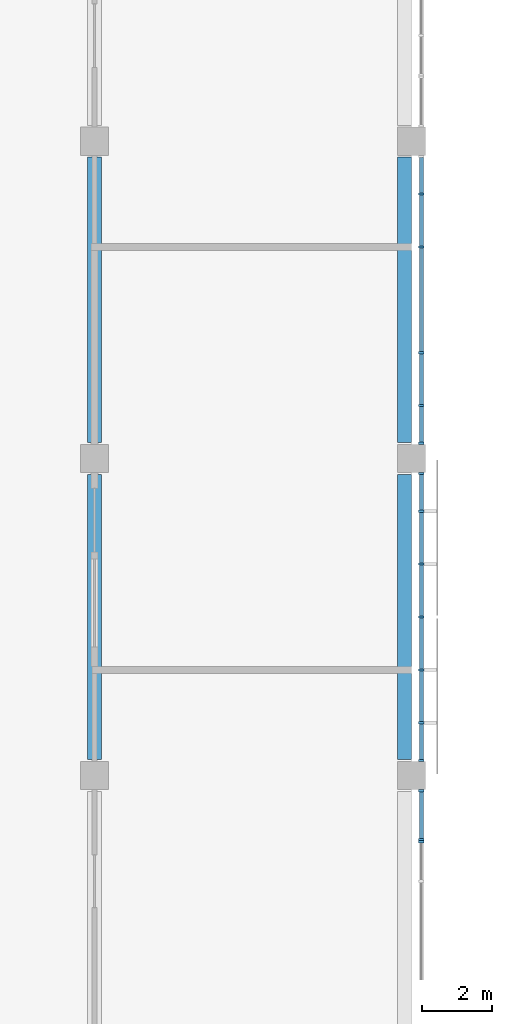
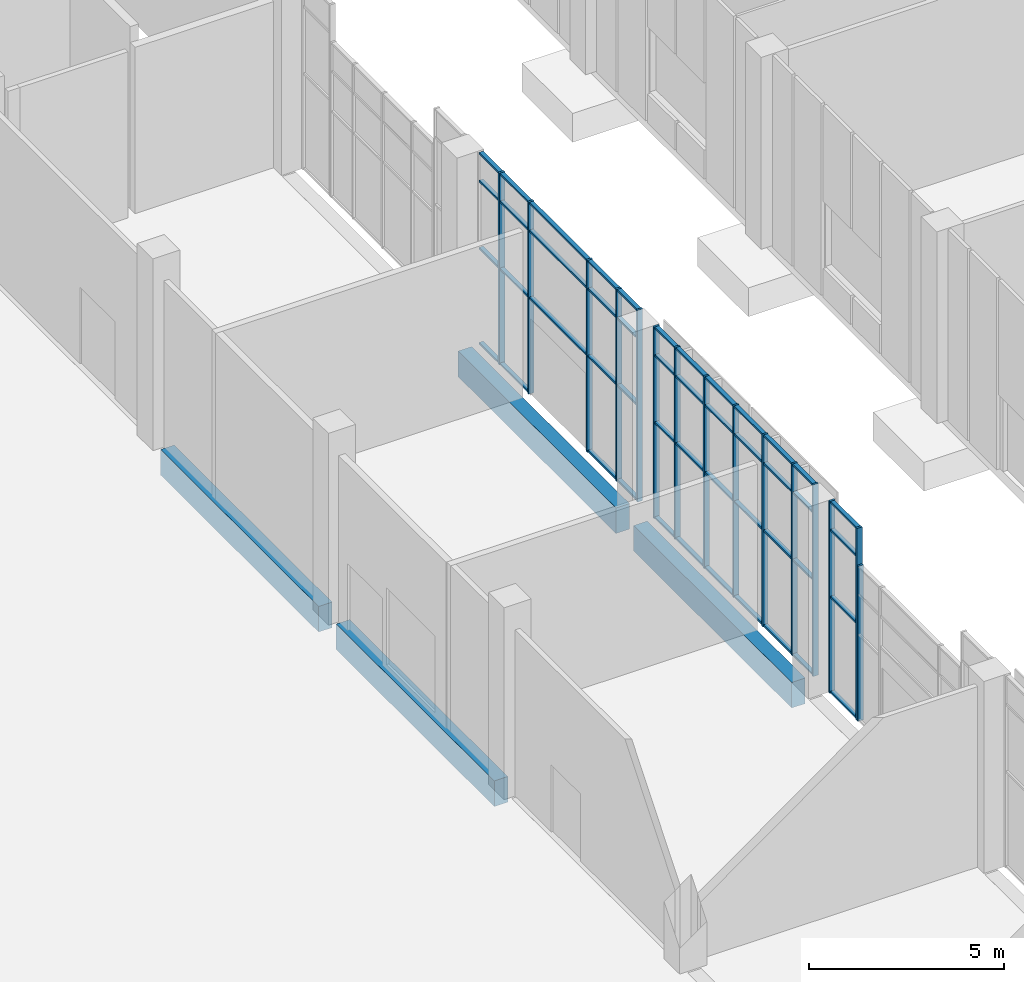
# One storey, part 21 of 86: 62 members, 4 beams, 4 elements without a shape of their own.
"""IFC4 building model written with IfcOpenShell, lengths in metres."""

from ifc_helpers import new_model, si_unit, direction, frame, origin, origin_2d, place, context, subcontext, project, spatial, rectangle, extrude, material, layer, layer_set, material_profile, profile_set, type_object, element, aggregate, save


model = new_model("IFC4")

# Units and contexts
model_context = context("Model", 3, precision=1e-05, world=origin(), true_north=direction((0.0, 1.0)))
body_context = subcontext(model_context, "Body", "Model", "MODEL_VIEW")
ifc_project = project(units=[si_unit("LENGTHUNIT", "METRE"), si_unit("AREAUNIT", "SQUARE_METRE"), si_unit("VOLUMEUNIT", "CUBIC_METRE"), si_unit("PLANEANGLEUNIT", "RADIAN"), si_unit("MASSUNIT", "GRAM", prefix="KILO")], contexts=[model_context])

# Site, building, storey
site_placement = place(None, origin())
site = spatial("IfcSite", under=ifc_project, at=site_placement, CompositionType="ELEMENT")
building_placement = place(site_placement, origin())
building = spatial("IfcBuilding", under=site, at=building_placement, Name="Guidao Yard Department Store", CompositionType="ELEMENT")
storey_placement = place(building_placement, origin())
storey = spatial("IfcBuildingStorey", under=building, at=storey_placement, Name="L00", CompositionType="ELEMENT", Elevation=0.0)

# Beams
ifc_material_1 = material(Name="Concrete C40", Category="concrete")
ifc_material_profile_1 = material_profile(ifc_material_1, rectangle(XDim=0.39990234375, YDim=0.800048828125, at=origin_2d()), Name="Edge beam 400 x 800 C40")
ifc_profile_set_1 = profile_set([ifc_material_profile_1], Name="Concrete C40")
beam_type_1 = type_object("IfcBeamType", Name="Edge beam 400 x 800 C40", PredefinedType="BEAM", material=ifc_profile_set_1)
for number, where, z_axis, x_axis, name in (
    (1, (99.0, 63.449951171875, -0.39990234375), (0.0, 1.0, 0.0), (-1.0, 0.0, 0.0), "Beam EB64"),
    (2, (99.0, 72.449951171875, -0.39990234375), (0.0, 1.0, 0.0), (-1.0, 0.0, 0.0), "Beam EB65"),
):
    element("IfcBeam", number, at=place(storey_placement, frame(where, z_axis=z_axis, x_axis=x_axis)), inside=storey, type_object=beam_type_1, Name=name, PredefinedType="BEAM", context=body_context, shape_type="SweptSolid", body=[
        extrude(rectangle(XDim=0.39990234375, YDim=0.800048828125, at=origin_2d()), origin(), (0.0, 0.0, 1.0), 8.10009765625),
    ])

# Curtain wall, member
ifc_material_2 = material(Name="Aluminium and glass", Category="aluminium")
ifc_layer = layer(ifc_material_2, 0.159912109375)
ifc_layer_set = layer_set([ifc_layer], Name="Shopfront curtain wall CW1 1500 module")
curtain_wall_type = type_object("IfcCurtainWallType", Name="Shopfront curtain wall CW1 1500 module", PredefinedType="NOTDEFINED", material=ifc_layer_set)
curtain_wall_1_placement = place(storey_placement, origin())
curtain_wall_1 = element("IfcCurtainWall", 3, at=curtain_wall_1_placement, inside=storey, type_object=curtain_wall_type, Name="Arcade shop front", PredefinedType="NOTDEFINED")
ifc_material_3 = material(Name="Aluminium 6063-T5", Category="aluminium")
ifc_material_profile_2 = material_profile(ifc_material_3, rectangle(XDim=0.06005859375, YDim=0.159912109375, at=origin_2d()), Name="Mullion M1 60 x 160 aluminium pressure plate")
ifc_profile_set_2 = profile_set([ifc_material_profile_2], Name="Aluminium 6063-T5")
member_type_1 = type_object("IfcMemberType", Name="Mullion M1 60 x 160 aluminium pressure plate", PredefinedType="MULLION", material=ifc_profile_set_2)
member_1_placement = place(storey_placement, frame((108.280029296875, 61.1201171875, 0.0), z_axis=(0.0, 0.0, 1.0), x_axis=(0.0, -1.0, 0.0)))
member_1 = element("IfcMember", 4, at=member_1_placement, type_object=member_type_1, Name="CW-AS-L00-13 mullion 4", PredefinedType="MULLION", context=body_context, shape_type="SweptSolid", body=[
    extrude(rectangle(XDim=0.06005859375, YDim=0.159912109375, at=origin_2d()), origin(), (0.0, 0.0, 1.0), 4.85009765625),
])
aggregate(curtain_wall_1, [member_1])

# Curtain wall, members
curtain_wall_2_placement = place(storey_placement, origin())
curtain_wall_2 = element("IfcCurtainWall", 5, at=curtain_wall_2_placement, inside=storey, type_object=curtain_wall_type, Name="Arcade shop front", PredefinedType="NOTDEFINED")
member_2_placement = place(storey_placement, frame((108.280029296875, 61.179931640625, 0.0), z_axis=(0.0, 0.0, 1.0), x_axis=(0.0, -1.0, 0.0)))
member_2 = element("IfcMember", 6, at=member_2_placement, type_object=member_type_1, Name="CW-AS-L00-14 mullion 1", PredefinedType="MULLION", context=body_context, shape_type="SweptSolid", body=[
    extrude(rectangle(XDim=0.06005859375, YDim=0.159912109375, at=origin_2d()), origin(), (0.0, 0.0, 1.0), 6.0),
])
member_3_placement = place(storey_placement, frame((108.280029296875, 62.570068359375, 0.0), z_axis=(0.0, 0.0, 1.0), x_axis=(0.0, -1.0, 0.0)))
member_3 = element("IfcMember", 7, at=member_3_placement, type_object=member_type_1, Name="CW-AS-L00-14 mullion 2", PredefinedType="MULLION", context=body_context, shape_type="SweptSolid", body=[
    extrude(rectangle(XDim=0.06005859375, YDim=0.159912109375, at=origin_2d()), origin(), (0.0, 0.0, 1.0), 6.0),
])

curtain_wall_3_placement = place(storey_placement, origin())
curtain_wall_3 = element("IfcCurtainWall", 8, at=curtain_wall_3_placement, inside=storey, type_object=curtain_wall_type, Name="Arcade shop front", PredefinedType="NOTDEFINED")
member_4_placement = place(storey_placement, frame((108.280029296875, 63.429931640625, 0.0), z_axis=(0.0, 0.0, 1.0), x_axis=(0.0, -1.0, 0.0)))
member_4 = element("IfcMember", 9, at=member_4_placement, type_object=member_type_1, Name="CW-AS-L00-15 mullion 1", PredefinedType="MULLION", context=body_context, shape_type="SweptSolid", body=[
    extrude(rectangle(XDim=0.06005859375, YDim=0.159912109375, at=origin_2d()), origin(), (0.0, 0.0, 1.0), 6.0),
])
member_5_placement = place(storey_placement, frame((108.280029296875, 64.5, 0.0), z_axis=(0.0, 0.0, 1.0), x_axis=(0.0, -1.0, 0.0)))
member_5 = element("IfcMember", 10, at=member_5_placement, type_object=member_type_1, Name="CW-AS-L00-15 mullion 2", PredefinedType="MULLION", context=body_context, shape_type="SweptSolid", body=[
    extrude(rectangle(XDim=0.06005859375, YDim=0.159912109375, at=origin_2d()), origin(), (0.0, 0.0, 1.0), 6.0),
])
member_6_placement = place(storey_placement, frame((108.280029296875, 66.0, 0.0), z_axis=(0.0, 0.0, 1.0), x_axis=(0.0, -1.0, 0.0)))
member_6 = element("IfcMember", 11, at=member_6_placement, type_object=member_type_1, Name="CW-AS-L00-15 mullion 3", PredefinedType="MULLION", context=body_context, shape_type="SweptSolid", body=[
    extrude(rectangle(XDim=0.06005859375, YDim=0.159912109375, at=origin_2d()), origin(), (0.0, 0.0, 1.0), 6.0),
])
member_7_placement = place(storey_placement, frame((108.280029296875, 67.5, 0.0), z_axis=(0.0, 0.0, 1.0), x_axis=(0.0, -1.0, 0.0)))
member_7 = element("IfcMember", 12, at=member_7_placement, type_object=member_type_1, Name="CW-AS-L00-15 mullion 4", PredefinedType="MULLION", context=body_context, shape_type="SweptSolid", body=[
    extrude(rectangle(XDim=0.06005859375, YDim=0.159912109375, at=origin_2d()), origin(), (0.0, 0.0, 1.0), 6.0),
])
member_8_placement = place(storey_placement, frame((108.280029296875, 69.0, 0.0), z_axis=(0.0, 0.0, 1.0), x_axis=(0.0, -1.0, 0.0)))
member_8 = element("IfcMember", 13, at=member_8_placement, type_object=member_type_1, Name="CW-AS-L00-15 mullion 5", PredefinedType="MULLION", context=body_context, shape_type="SweptSolid", body=[
    extrude(rectangle(XDim=0.06005859375, YDim=0.159912109375, at=origin_2d()), origin(), (0.0, 0.0, 1.0), 6.0),
])
member_9_placement = place(storey_placement, frame((108.280029296875, 70.5, 0.0), z_axis=(0.0, 0.0, 1.0), x_axis=(0.0, -1.0, 0.0)))
member_9 = element("IfcMember", 14, at=member_9_placement, type_object=member_type_1, Name="CW-AS-L00-15 mullion 6", PredefinedType="MULLION", context=body_context, shape_type="SweptSolid", body=[
    extrude(rectangle(XDim=0.06005859375, YDim=0.159912109375, at=origin_2d()), origin(), (0.0, 0.0, 1.0), 6.0),
])
member_10_placement = place(storey_placement, frame((108.280029296875, 71.570068359375, 0.0), z_axis=(0.0, 0.0, 1.0), x_axis=(0.0, -1.0, 0.0)))
member_10 = element("IfcMember", 15, at=member_10_placement, type_object=member_type_1, Name="CW-AS-L00-15 mullion 7", PredefinedType="MULLION", context=body_context, shape_type="SweptSolid", body=[
    extrude(rectangle(XDim=0.06005859375, YDim=0.159912109375, at=origin_2d()), origin(), (0.0, 0.0, 1.0), 6.0),
])

curtain_wall_4_placement = place(storey_placement, origin())
curtain_wall_4 = element("IfcCurtainWall", 16, at=curtain_wall_4_placement, inside=storey, type_object=curtain_wall_type, Name="Arcade shop front", PredefinedType="NOTDEFINED")
member_11_placement = place(storey_placement, frame((108.280029296875, 72.429931640625, 0.0), z_axis=(0.0, 0.0, 1.0), x_axis=(0.0, -1.0, 0.0)))
member_11 = element("IfcMember", 17, at=member_11_placement, type_object=member_type_1, Name="CW-AS-L00-16 mullion 1", PredefinedType="MULLION", context=body_context, shape_type="SweptSolid", body=[
    extrude(rectangle(XDim=0.06005859375, YDim=0.159912109375, at=origin_2d()), origin(), (0.0, 0.0, 1.0), 6.0),
])
member_12_placement = place(storey_placement, frame((108.280029296875, 73.5, 0.0), z_axis=(0.0, 0.0, 1.0), x_axis=(0.0, -1.0, 0.0)))
member_12 = element("IfcMember", 18, at=member_12_placement, type_object=member_type_1, Name="CW-AS-L00-16 mullion 2", PredefinedType="MULLION", context=body_context, shape_type="SweptSolid", body=[
    extrude(rectangle(XDim=0.06005859375, YDim=0.159912109375, at=origin_2d()), origin(), (0.0, 0.0, 1.0), 6.0),
])
member_13_placement = place(storey_placement, frame((108.280029296875, 75.0, 0.0), z_axis=(0.0, 0.0, 1.0), x_axis=(0.0, -1.0, 0.0)))
member_13 = element("IfcMember", 19, at=member_13_placement, type_object=member_type_1, Name="CW-AS-L00-16 mullion 3", PredefinedType="MULLION", context=body_context, shape_type="SweptSolid", body=[
    extrude(rectangle(XDim=0.06005859375, YDim=0.159912109375, at=origin_2d()), origin(), (0.0, 0.0, 1.0), 6.0),
])
member_14_placement = place(storey_placement, frame((108.280029296875, 78.0, 0.0), z_axis=(0.0, 0.0, 1.0), x_axis=(0.0, -1.0, 0.0)))
member_14 = element("IfcMember", 20, at=member_14_placement, type_object=member_type_1, Name="CW-AS-L00-16 mullion 4", PredefinedType="MULLION", context=body_context, shape_type="SweptSolid", body=[
    extrude(rectangle(XDim=0.06005859375, YDim=0.159912109375, at=origin_2d()), origin(), (0.0, 0.0, 1.0), 6.0),
])
member_15_placement = place(storey_placement, frame((108.280029296875, 79.5, 0.0), z_axis=(0.0, 0.0, 1.0), x_axis=(0.0, -1.0, 0.0)))
member_15 = element("IfcMember", 21, at=member_15_placement, type_object=member_type_1, Name="CW-AS-L00-16 mullion 5", PredefinedType="MULLION", context=body_context, shape_type="SweptSolid", body=[
    extrude(rectangle(XDim=0.06005859375, YDim=0.159912109375, at=origin_2d()), origin(), (0.0, 0.0, 1.0), 6.0),
])

# Beams
ifc_material_4 = material(Name="Concrete C40", Category="concrete")
ifc_material_profile_3 = material_profile(ifc_material_4, rectangle(XDim=0.39990234375, YDim=0.800048828125, at=origin_2d()), Name="Spandrel beam 400 x 800 C40")
ifc_profile_set_3 = profile_set([ifc_material_profile_3], Name="Concrete C40")
beam_type_2 = type_object("IfcBeamType", Name="Spandrel beam 400 x 800 C40", PredefinedType="SPANDREL", material=ifc_profile_set_3)
for number, where, z_axis, x_axis, name in (
    (22, (107.800048828125, 63.449951171875, -0.39990234375), (0.0, 1.0, 0.0), (-1.0, 0.0, 0.0), "Beam EB48"),
    (23, (107.800048828125, 72.449951171875, -0.39990234375), (0.0, 1.0, 0.0), (-1.0, 0.0, 0.0), "Beam EB49"),
):
    element("IfcBeam", number, at=place(storey_placement, frame(where, z_axis=z_axis, x_axis=x_axis)), inside=storey, type_object=beam_type_2, Name=name, PredefinedType="SPANDREL", context=body_context, shape_type="SweptSolid", body=[
        extrude(rectangle(XDim=0.39990234375, YDim=0.800048828125, at=origin_2d()), origin(), (0.0, 0.0, 1.0), 8.10009765625),
    ])

# Member
ifc_material_5 = material(Name="Aluminium 6063-T5", Category="aluminium")
ifc_material_profile_4 = material_profile(ifc_material_5, rectangle(XDim=0.1201171875, YDim=0.06005859375, at=origin_2d()), Name="Transom T1 60 x 120 aluminium pressure plate")
ifc_profile_set_4 = profile_set([ifc_material_profile_4], Name="Aluminium 6063-T5")
member_type_2 = type_object("IfcMemberType", Name="Transom T1 60 x 120 aluminium pressure plate", PredefinedType="USERDEFINED", material=ifc_profile_set_4)
member_16_placement = place(storey_placement, frame((108.280029296875, 62.5400390625, 0.030029296875), z_axis=(0.0, -1.0, 0.0), x_axis=(1.0, 0.0, 0.0)))
member_16 = element("IfcMember", 24, at=member_16_placement, type_object=member_type_2, Name="CW-AS-L00-14 transom 1.1", ObjectType="TRANSOM", PredefinedType="USERDEFINED", context=body_context, shape_type="SweptSolid", body=[
    extrude(rectangle(XDim=0.1201171875, YDim=0.06005859375, at=origin_2d()), origin(), (0.0, 0.0, 1.0), 1.330078125),
])

member_17_placement = place(storey_placement, frame((108.280029296875, 62.5400390625, 3.0), z_axis=(0.0, -1.0, 0.0), x_axis=(1.0, 0.0, 0.0)))
member_17 = element("IfcMember", 25, at=member_17_placement, type_object=member_type_2, Name="CW-AS-L00-14 transom 1.2", ObjectType="TRANSOM", PredefinedType="USERDEFINED", context=body_context, shape_type="SweptSolid", body=[
    extrude(rectangle(XDim=0.1201171875, YDim=0.06005859375, at=origin_2d()), origin(), (0.0, 0.0, 1.0), 1.330078125),
])

member_18_placement = place(storey_placement, frame((108.280029296875, 62.5400390625, 5.10009765625), z_axis=(0.0, -1.0, 0.0), x_axis=(1.0, 0.0, 0.0)))
member_18 = element("IfcMember", 26, at=member_18_placement, type_object=member_type_2, Name="CW-AS-L00-14 transom 1.3", ObjectType="TRANSOM", PredefinedType="USERDEFINED", context=body_context, shape_type="SweptSolid", body=[
    extrude(rectangle(XDim=0.1201171875, YDim=0.06005859375, at=origin_2d()), origin(), (0.0, 0.0, 1.0), 1.330078125),
])

member_19_placement = place(storey_placement, frame((108.280029296875, 62.5400390625, 5.969970703125), z_axis=(0.0, -1.0, 0.0), x_axis=(1.0, 0.0, 0.0)))
member_19 = element("IfcMember", 27, at=member_19_placement, type_object=member_type_2, Name="CW-AS-L00-14 transom 1.4", ObjectType="TRANSOM", PredefinedType="USERDEFINED", context=body_context, shape_type="SweptSolid", body=[
    extrude(rectangle(XDim=0.1201171875, YDim=0.06005859375, at=origin_2d()), origin(), (0.0, 0.0, 1.0), 1.330078125),
])

aggregate(curtain_wall_2, [member_2, member_3, member_16, member_17, member_18, member_19])

member_20_placement = place(storey_placement, frame((108.280029296875, 64.469970703125, 0.030029296875), z_axis=(0.0, -1.0, 0.0), x_axis=(1.0, 0.0, 0.0)))
member_20 = element("IfcMember", 28, at=member_20_placement, type_object=member_type_2, Name="CW-AS-L00-15 transom 1.1", ObjectType="TRANSOM", PredefinedType="USERDEFINED", context=body_context, shape_type="SweptSolid", body=[
    extrude(rectangle(XDim=0.1201171875, YDim=0.06005859375, at=origin_2d()), origin(), (0.0, 0.0, 1.0), 1.010009765625),
])

member_21_placement = place(storey_placement, frame((108.280029296875, 64.469970703125, 3.0), z_axis=(0.0, -1.0, 0.0), x_axis=(1.0, 0.0, 0.0)))
member_21 = element("IfcMember", 29, at=member_21_placement, type_object=member_type_2, Name="CW-AS-L00-15 transom 1.2", ObjectType="TRANSOM", PredefinedType="USERDEFINED", context=body_context, shape_type="SweptSolid", body=[
    extrude(rectangle(XDim=0.1201171875, YDim=0.06005859375, at=origin_2d()), origin(), (0.0, 0.0, 1.0), 1.010009765625),
])

member_22_placement = place(storey_placement, frame((108.280029296875, 64.469970703125, 5.10009765625), z_axis=(0.0, -1.0, 0.0), x_axis=(1.0, 0.0, 0.0)))
member_22 = element("IfcMember", 30, at=member_22_placement, type_object=member_type_2, Name="CW-AS-L00-15 transom 1.3", ObjectType="TRANSOM", PredefinedType="USERDEFINED", context=body_context, shape_type="SweptSolid", body=[
    extrude(rectangle(XDim=0.1201171875, YDim=0.06005859375, at=origin_2d()), origin(), (0.0, 0.0, 1.0), 1.010009765625),
])

member_23_placement = place(storey_placement, frame((108.280029296875, 64.469970703125, 5.969970703125), z_axis=(0.0, -1.0, 0.0), x_axis=(1.0, 0.0, 0.0)))
member_23 = element("IfcMember", 31, at=member_23_placement, type_object=member_type_2, Name="CW-AS-L00-15 transom 1.4", ObjectType="TRANSOM", PredefinedType="USERDEFINED", context=body_context, shape_type="SweptSolid", body=[
    extrude(rectangle(XDim=0.1201171875, YDim=0.06005859375, at=origin_2d()), origin(), (0.0, 0.0, 1.0), 1.010009765625),
])

member_24_placement = place(storey_placement, frame((108.280029296875, 65.969970703125, 0.030029296875), z_axis=(0.0, -1.0, 0.0), x_axis=(1.0, 0.0, 0.0)))
member_24 = element("IfcMember", 32, at=member_24_placement, type_object=member_type_2, Name="CW-AS-L00-15 transom 2.1", ObjectType="TRANSOM", PredefinedType="USERDEFINED", context=body_context, shape_type="SweptSolid", body=[
    extrude(rectangle(XDim=0.1201171875, YDim=0.06005859375, at=origin_2d()), origin(), (0.0, 0.0, 1.0), 1.43994140625),
])

member_25_placement = place(storey_placement, frame((108.280029296875, 65.969970703125, 3.0), z_axis=(0.0, -1.0, 0.0), x_axis=(1.0, 0.0, 0.0)))
member_25 = element("IfcMember", 33, at=member_25_placement, type_object=member_type_2, Name="CW-AS-L00-15 transom 2.2", ObjectType="TRANSOM", PredefinedType="USERDEFINED", context=body_context, shape_type="SweptSolid", body=[
    extrude(rectangle(XDim=0.1201171875, YDim=0.06005859375, at=origin_2d()), origin(), (0.0, 0.0, 1.0), 1.43994140625),
])

member_26_placement = place(storey_placement, frame((108.280029296875, 65.969970703125, 5.10009765625), z_axis=(0.0, -1.0, 0.0), x_axis=(1.0, 0.0, 0.0)))
member_26 = element("IfcMember", 34, at=member_26_placement, type_object=member_type_2, Name="CW-AS-L00-15 transom 2.3", ObjectType="TRANSOM", PredefinedType="USERDEFINED", context=body_context, shape_type="SweptSolid", body=[
    extrude(rectangle(XDim=0.1201171875, YDim=0.06005859375, at=origin_2d()), origin(), (0.0, 0.0, 1.0), 1.43994140625),
])

member_27_placement = place(storey_placement, frame((108.280029296875, 65.969970703125, 5.969970703125), z_axis=(0.0, -1.0, 0.0), x_axis=(1.0, 0.0, 0.0)))
member_27 = element("IfcMember", 35, at=member_27_placement, type_object=member_type_2, Name="CW-AS-L00-15 transom 2.4", ObjectType="TRANSOM", PredefinedType="USERDEFINED", context=body_context, shape_type="SweptSolid", body=[
    extrude(rectangle(XDim=0.1201171875, YDim=0.06005859375, at=origin_2d()), origin(), (0.0, 0.0, 1.0), 1.43994140625),
])

member_28_placement = place(storey_placement, frame((108.280029296875, 67.469970703125, 0.030029296875), z_axis=(0.0, -1.0, 0.0), x_axis=(1.0, 0.0, 0.0)))
member_28 = element("IfcMember", 36, at=member_28_placement, type_object=member_type_2, Name="CW-AS-L00-15 transom 3.1", ObjectType="TRANSOM", PredefinedType="USERDEFINED", context=body_context, shape_type="SweptSolid", body=[
    extrude(rectangle(XDim=0.1201171875, YDim=0.06005859375, at=origin_2d()), origin(), (0.0, 0.0, 1.0), 1.43994140625),
])

member_29_placement = place(storey_placement, frame((108.280029296875, 67.469970703125, 3.0), z_axis=(0.0, -1.0, 0.0), x_axis=(1.0, 0.0, 0.0)))
member_29 = element("IfcMember", 37, at=member_29_placement, type_object=member_type_2, Name="CW-AS-L00-15 transom 3.2", ObjectType="TRANSOM", PredefinedType="USERDEFINED", context=body_context, shape_type="SweptSolid", body=[
    extrude(rectangle(XDim=0.1201171875, YDim=0.06005859375, at=origin_2d()), origin(), (0.0, 0.0, 1.0), 1.43994140625),
])

member_30_placement = place(storey_placement, frame((108.280029296875, 67.469970703125, 5.10009765625), z_axis=(0.0, -1.0, 0.0), x_axis=(1.0, 0.0, 0.0)))
member_30 = element("IfcMember", 38, at=member_30_placement, type_object=member_type_2, Name="CW-AS-L00-15 transom 3.3", ObjectType="TRANSOM", PredefinedType="USERDEFINED", context=body_context, shape_type="SweptSolid", body=[
    extrude(rectangle(XDim=0.1201171875, YDim=0.06005859375, at=origin_2d()), origin(), (0.0, 0.0, 1.0), 1.43994140625),
])

member_31_placement = place(storey_placement, frame((108.280029296875, 67.469970703125, 5.969970703125), z_axis=(0.0, -1.0, 0.0), x_axis=(1.0, 0.0, 0.0)))
member_31 = element("IfcMember", 39, at=member_31_placement, type_object=member_type_2, Name="CW-AS-L00-15 transom 3.4", ObjectType="TRANSOM", PredefinedType="USERDEFINED", context=body_context, shape_type="SweptSolid", body=[
    extrude(rectangle(XDim=0.1201171875, YDim=0.06005859375, at=origin_2d()), origin(), (0.0, 0.0, 1.0), 1.43994140625),
])

member_32_placement = place(storey_placement, frame((108.280029296875, 68.969970703125, 0.030029296875), z_axis=(0.0, -1.0, 0.0), x_axis=(1.0, 0.0, 0.0)))
member_32 = element("IfcMember", 40, at=member_32_placement, type_object=member_type_2, Name="CW-AS-L00-15 transom 4.1", ObjectType="TRANSOM", PredefinedType="USERDEFINED", context=body_context, shape_type="SweptSolid", body=[
    extrude(rectangle(XDim=0.1201171875, YDim=0.06005859375, at=origin_2d()), origin(), (0.0, 0.0, 1.0), 1.43994140625),
])

member_33_placement = place(storey_placement, frame((108.280029296875, 68.969970703125, 3.0), z_axis=(0.0, -1.0, 0.0), x_axis=(1.0, 0.0, 0.0)))
member_33 = element("IfcMember", 41, at=member_33_placement, type_object=member_type_2, Name="CW-AS-L00-15 transom 4.2", ObjectType="TRANSOM", PredefinedType="USERDEFINED", context=body_context, shape_type="SweptSolid", body=[
    extrude(rectangle(XDim=0.1201171875, YDim=0.06005859375, at=origin_2d()), origin(), (0.0, 0.0, 1.0), 1.43994140625),
])

member_34_placement = place(storey_placement, frame((108.280029296875, 68.969970703125, 5.10009765625), z_axis=(0.0, -1.0, 0.0), x_axis=(1.0, 0.0, 0.0)))
member_34 = element("IfcMember", 42, at=member_34_placement, type_object=member_type_2, Name="CW-AS-L00-15 transom 4.3", ObjectType="TRANSOM", PredefinedType="USERDEFINED", context=body_context, shape_type="SweptSolid", body=[
    extrude(rectangle(XDim=0.1201171875, YDim=0.06005859375, at=origin_2d()), origin(), (0.0, 0.0, 1.0), 1.43994140625),
])

member_35_placement = place(storey_placement, frame((108.280029296875, 68.969970703125, 5.969970703125), z_axis=(0.0, -1.0, 0.0), x_axis=(1.0, 0.0, 0.0)))
member_35 = element("IfcMember", 43, at=member_35_placement, type_object=member_type_2, Name="CW-AS-L00-15 transom 4.4", ObjectType="TRANSOM", PredefinedType="USERDEFINED", context=body_context, shape_type="SweptSolid", body=[
    extrude(rectangle(XDim=0.1201171875, YDim=0.06005859375, at=origin_2d()), origin(), (0.0, 0.0, 1.0), 1.43994140625),
])

member_36_placement = place(storey_placement, frame((108.280029296875, 70.469970703125, 0.030029296875), z_axis=(0.0, -1.0, 0.0), x_axis=(1.0, 0.0, 0.0)))
member_36 = element("IfcMember", 44, at=member_36_placement, type_object=member_type_2, Name="CW-AS-L00-15 transom 5.1", ObjectType="TRANSOM", PredefinedType="USERDEFINED", context=body_context, shape_type="SweptSolid", body=[
    extrude(rectangle(XDim=0.1201171875, YDim=0.06005859375, at=origin_2d()), origin(), (0.0, 0.0, 1.0), 1.43994140625),
])

member_37_placement = place(storey_placement, frame((108.280029296875, 70.469970703125, 3.0), z_axis=(0.0, -1.0, 0.0), x_axis=(1.0, 0.0, 0.0)))
member_37 = element("IfcMember", 45, at=member_37_placement, type_object=member_type_2, Name="CW-AS-L00-15 transom 5.2", ObjectType="TRANSOM", PredefinedType="USERDEFINED", context=body_context, shape_type="SweptSolid", body=[
    extrude(rectangle(XDim=0.1201171875, YDim=0.06005859375, at=origin_2d()), origin(), (0.0, 0.0, 1.0), 1.43994140625),
])

member_38_placement = place(storey_placement, frame((108.280029296875, 70.469970703125, 5.10009765625), z_axis=(0.0, -1.0, 0.0), x_axis=(1.0, 0.0, 0.0)))
member_38 = element("IfcMember", 46, at=member_38_placement, type_object=member_type_2, Name="CW-AS-L00-15 transom 5.3", ObjectType="TRANSOM", PredefinedType="USERDEFINED", context=body_context, shape_type="SweptSolid", body=[
    extrude(rectangle(XDim=0.1201171875, YDim=0.06005859375, at=origin_2d()), origin(), (0.0, 0.0, 1.0), 1.43994140625),
])

member_39_placement = place(storey_placement, frame((108.280029296875, 70.469970703125, 5.969970703125), z_axis=(0.0, -1.0, 0.0), x_axis=(1.0, 0.0, 0.0)))
member_39 = element("IfcMember", 47, at=member_39_placement, type_object=member_type_2, Name="CW-AS-L00-15 transom 5.4", ObjectType="TRANSOM", PredefinedType="USERDEFINED", context=body_context, shape_type="SweptSolid", body=[
    extrude(rectangle(XDim=0.1201171875, YDim=0.06005859375, at=origin_2d()), origin(), (0.0, 0.0, 1.0), 1.43994140625),
])

member_40_placement = place(storey_placement, frame((108.280029296875, 71.5400390625, 0.030029296875), z_axis=(0.0, -1.0, 0.0), x_axis=(1.0, 0.0, 0.0)))
member_40 = element("IfcMember", 48, at=member_40_placement, type_object=member_type_2, Name="CW-AS-L00-15 transom 6.1", ObjectType="TRANSOM", PredefinedType="USERDEFINED", context=body_context, shape_type="SweptSolid", body=[
    extrude(rectangle(XDim=0.1201171875, YDim=0.06005859375, at=origin_2d()), origin(), (0.0, 0.0, 1.0), 1.010009765625),
])

member_41_placement = place(storey_placement, frame((108.280029296875, 71.5400390625, 3.0), z_axis=(0.0, -1.0, 0.0), x_axis=(1.0, 0.0, 0.0)))
member_41 = element("IfcMember", 49, at=member_41_placement, type_object=member_type_2, Name="CW-AS-L00-15 transom 6.2", ObjectType="TRANSOM", PredefinedType="USERDEFINED", context=body_context, shape_type="SweptSolid", body=[
    extrude(rectangle(XDim=0.1201171875, YDim=0.06005859375, at=origin_2d()), origin(), (0.0, 0.0, 1.0), 1.010009765625),
])

member_42_placement = place(storey_placement, frame((108.280029296875, 71.5400390625, 5.10009765625), z_axis=(0.0, -1.0, 0.0), x_axis=(1.0, 0.0, 0.0)))
member_42 = element("IfcMember", 50, at=member_42_placement, type_object=member_type_2, Name="CW-AS-L00-15 transom 6.3", ObjectType="TRANSOM", PredefinedType="USERDEFINED", context=body_context, shape_type="SweptSolid", body=[
    extrude(rectangle(XDim=0.1201171875, YDim=0.06005859375, at=origin_2d()), origin(), (0.0, 0.0, 1.0), 1.010009765625),
])

member_43_placement = place(storey_placement, frame((108.280029296875, 71.5400390625, 5.969970703125), z_axis=(0.0, -1.0, 0.0), x_axis=(1.0, 0.0, 0.0)))
member_43 = element("IfcMember", 51, at=member_43_placement, type_object=member_type_2, Name="CW-AS-L00-15 transom 6.4", ObjectType="TRANSOM", PredefinedType="USERDEFINED", context=body_context, shape_type="SweptSolid", body=[
    extrude(rectangle(XDim=0.1201171875, YDim=0.06005859375, at=origin_2d()), origin(), (0.0, 0.0, 1.0), 1.010009765625),
])

aggregate(curtain_wall_3, [member_4, member_5, member_6, member_7, member_8, member_9, member_10, member_20, member_21, member_22, member_23, member_24, member_25, member_26, member_27, member_28, member_29, member_30, member_31, member_32, member_33, member_34, member_35, member_36, member_37, member_38, member_39, member_40, member_41, member_42, member_43])

member_44_placement = place(storey_placement, frame((108.280029296875, 73.469970703125, 0.030029296875), z_axis=(0.0, -1.0, 0.0), x_axis=(1.0, 0.0, 0.0)))
member_44 = element("IfcMember", 52, at=member_44_placement, type_object=member_type_2, Name="CW-AS-L00-16 transom 1.1", ObjectType="TRANSOM", PredefinedType="USERDEFINED", context=body_context, shape_type="SweptSolid", body=[
    extrude(rectangle(XDim=0.1201171875, YDim=0.06005859375, at=origin_2d()), origin(), (0.0, 0.0, 1.0), 1.010009765625),
])

member_45_placement = place(storey_placement, frame((108.280029296875, 73.469970703125, 3.0), z_axis=(0.0, -1.0, 0.0), x_axis=(1.0, 0.0, 0.0)))
member_45 = element("IfcMember", 53, at=member_45_placement, type_object=member_type_2, Name="CW-AS-L00-16 transom 1.2", ObjectType="TRANSOM", PredefinedType="USERDEFINED", context=body_context, shape_type="SweptSolid", body=[
    extrude(rectangle(XDim=0.1201171875, YDim=0.06005859375, at=origin_2d()), origin(), (0.0, 0.0, 1.0), 1.010009765625),
])

member_46_placement = place(storey_placement, frame((108.280029296875, 73.469970703125, 5.10009765625), z_axis=(0.0, -1.0, 0.0), x_axis=(1.0, 0.0, 0.0)))
member_46 = element("IfcMember", 54, at=member_46_placement, type_object=member_type_2, Name="CW-AS-L00-16 transom 1.3", ObjectType="TRANSOM", PredefinedType="USERDEFINED", context=body_context, shape_type="SweptSolid", body=[
    extrude(rectangle(XDim=0.1201171875, YDim=0.06005859375, at=origin_2d()), origin(), (0.0, 0.0, 1.0), 1.010009765625),
])

member_47_placement = place(storey_placement, frame((108.280029296875, 73.469970703125, 5.969970703125), z_axis=(0.0, -1.0, 0.0), x_axis=(1.0, 0.0, 0.0)))
member_47 = element("IfcMember", 55, at=member_47_placement, type_object=member_type_2, Name="CW-AS-L00-16 transom 1.4", ObjectType="TRANSOM", PredefinedType="USERDEFINED", context=body_context, shape_type="SweptSolid", body=[
    extrude(rectangle(XDim=0.1201171875, YDim=0.06005859375, at=origin_2d()), origin(), (0.0, 0.0, 1.0), 1.010009765625),
])

member_48_placement = place(storey_placement, frame((108.280029296875, 74.969970703125, 0.030029296875), z_axis=(0.0, -1.0, 0.0), x_axis=(1.0, 0.0, 0.0)))
member_48 = element("IfcMember", 56, at=member_48_placement, type_object=member_type_2, Name="CW-AS-L00-16 transom 2.1", ObjectType="TRANSOM", PredefinedType="USERDEFINED", context=body_context, shape_type="SweptSolid", body=[
    extrude(rectangle(XDim=0.1201171875, YDim=0.06005859375, at=origin_2d()), origin(), (0.0, 0.0, 1.0), 1.43994140625),
])

member_49_placement = place(storey_placement, frame((108.280029296875, 74.969970703125, 3.0), z_axis=(0.0, -1.0, 0.0), x_axis=(1.0, 0.0, 0.0)))
member_49 = element("IfcMember", 57, at=member_49_placement, type_object=member_type_2, Name="CW-AS-L00-16 transom 2.2", ObjectType="TRANSOM", PredefinedType="USERDEFINED", context=body_context, shape_type="SweptSolid", body=[
    extrude(rectangle(XDim=0.1201171875, YDim=0.06005859375, at=origin_2d()), origin(), (0.0, 0.0, 1.0), 1.43994140625),
])

member_50_placement = place(storey_placement, frame((108.280029296875, 74.969970703125, 5.10009765625), z_axis=(0.0, -1.0, 0.0), x_axis=(1.0, 0.0, 0.0)))
member_50 = element("IfcMember", 58, at=member_50_placement, type_object=member_type_2, Name="CW-AS-L00-16 transom 2.3", ObjectType="TRANSOM", PredefinedType="USERDEFINED", context=body_context, shape_type="SweptSolid", body=[
    extrude(rectangle(XDim=0.1201171875, YDim=0.06005859375, at=origin_2d()), origin(), (0.0, 0.0, 1.0), 1.43994140625),
])

member_51_placement = place(storey_placement, frame((108.280029296875, 74.969970703125, 5.969970703125), z_axis=(0.0, -1.0, 0.0), x_axis=(1.0, 0.0, 0.0)))
member_51 = element("IfcMember", 59, at=member_51_placement, type_object=member_type_2, Name="CW-AS-L00-16 transom 2.4", ObjectType="TRANSOM", PredefinedType="USERDEFINED", context=body_context, shape_type="SweptSolid", body=[
    extrude(rectangle(XDim=0.1201171875, YDim=0.06005859375, at=origin_2d()), origin(), (0.0, 0.0, 1.0), 1.43994140625),
])

member_52_placement = place(storey_placement, frame((108.280029296875, 77.969970703125, 3.0), z_axis=(0.0, -1.0, 0.0), x_axis=(1.0, 0.0, 0.0)))
member_52 = element("IfcMember", 60, at=member_52_placement, type_object=member_type_2, Name="CW-AS-L00-16 transom 3.2", ObjectType="TRANSOM", PredefinedType="USERDEFINED", context=body_context, shape_type="SweptSolid", body=[
    extrude(rectangle(XDim=0.1201171875, YDim=0.06005859375, at=origin_2d()), origin(), (0.0, 0.0, 1.0), 2.93994140625),
])

member_53_placement = place(storey_placement, frame((108.280029296875, 77.969970703125, 5.10009765625), z_axis=(0.0, -1.0, 0.0), x_axis=(1.0, 0.0, 0.0)))
member_53 = element("IfcMember", 61, at=member_53_placement, type_object=member_type_2, Name="CW-AS-L00-16 transom 3.3", ObjectType="TRANSOM", PredefinedType="USERDEFINED", context=body_context, shape_type="SweptSolid", body=[
    extrude(rectangle(XDim=0.1201171875, YDim=0.06005859375, at=origin_2d()), origin(), (0.0, 0.0, 1.0), 2.93994140625),
])

member_54_placement = place(storey_placement, frame((108.280029296875, 77.969970703125, 5.969970703125), z_axis=(0.0, -1.0, 0.0), x_axis=(1.0, 0.0, 0.0)))
member_54 = element("IfcMember", 62, at=member_54_placement, type_object=member_type_2, Name="CW-AS-L00-16 transom 3.4", ObjectType="TRANSOM", PredefinedType="USERDEFINED", context=body_context, shape_type="SweptSolid", body=[
    extrude(rectangle(XDim=0.1201171875, YDim=0.06005859375, at=origin_2d()), origin(), (0.0, 0.0, 1.0), 2.93994140625),
])

member_55_placement = place(storey_placement, frame((108.280029296875, 79.469970703125, 0.030029296875), z_axis=(0.0, -1.0, 0.0), x_axis=(1.0, 0.0, 0.0)))
member_55 = element("IfcMember", 63, at=member_55_placement, type_object=member_type_2, Name="CW-AS-L00-16 transom 4.1", ObjectType="TRANSOM", PredefinedType="USERDEFINED", context=body_context, shape_type="SweptSolid", body=[
    extrude(rectangle(XDim=0.1201171875, YDim=0.06005859375, at=origin_2d()), origin(), (0.0, 0.0, 1.0), 1.43994140625),
])

member_56_placement = place(storey_placement, frame((108.280029296875, 79.469970703125, 3.0), z_axis=(0.0, -1.0, 0.0), x_axis=(1.0, 0.0, 0.0)))
member_56 = element("IfcMember", 64, at=member_56_placement, type_object=member_type_2, Name="CW-AS-L00-16 transom 4.2", ObjectType="TRANSOM", PredefinedType="USERDEFINED", context=body_context, shape_type="SweptSolid", body=[
    extrude(rectangle(XDim=0.1201171875, YDim=0.06005859375, at=origin_2d()), origin(), (0.0, 0.0, 1.0), 1.43994140625),
])

member_57_placement = place(storey_placement, frame((108.280029296875, 79.469970703125, 5.10009765625), z_axis=(0.0, -1.0, 0.0), x_axis=(1.0, 0.0, 0.0)))
member_57 = element("IfcMember", 65, at=member_57_placement, type_object=member_type_2, Name="CW-AS-L00-16 transom 4.3", ObjectType="TRANSOM", PredefinedType="USERDEFINED", context=body_context, shape_type="SweptSolid", body=[
    extrude(rectangle(XDim=0.1201171875, YDim=0.06005859375, at=origin_2d()), origin(), (0.0, 0.0, 1.0), 1.43994140625),
])

member_58_placement = place(storey_placement, frame((108.280029296875, 79.469970703125, 5.969970703125), z_axis=(0.0, -1.0, 0.0), x_axis=(1.0, 0.0, 0.0)))
member_58 = element("IfcMember", 66, at=member_58_placement, type_object=member_type_2, Name="CW-AS-L00-16 transom 4.4", ObjectType="TRANSOM", PredefinedType="USERDEFINED", context=body_context, shape_type="SweptSolid", body=[
    extrude(rectangle(XDim=0.1201171875, YDim=0.06005859375, at=origin_2d()), origin(), (0.0, 0.0, 1.0), 1.43994140625),
])

member_59_placement = place(storey_placement, frame((108.280029296875, 80.5400390625, 0.030029296875), z_axis=(0.0, -1.0, 0.0), x_axis=(1.0, 0.0, 0.0)))
member_59 = element("IfcMember", 67, at=member_59_placement, type_object=member_type_2, Name="CW-AS-L00-16 transom 5.1", ObjectType="TRANSOM", PredefinedType="USERDEFINED", context=body_context, shape_type="SweptSolid", body=[
    extrude(rectangle(XDim=0.1201171875, YDim=0.06005859375, at=origin_2d()), origin(), (0.0, 0.0, 1.0), 1.010009765625),
])

member_60_placement = place(storey_placement, frame((108.280029296875, 80.5400390625, 3.0), z_axis=(0.0, -1.0, 0.0), x_axis=(1.0, 0.0, 0.0)))
member_60 = element("IfcMember", 68, at=member_60_placement, type_object=member_type_2, Name="CW-AS-L00-16 transom 5.2", ObjectType="TRANSOM", PredefinedType="USERDEFINED", context=body_context, shape_type="SweptSolid", body=[
    extrude(rectangle(XDim=0.1201171875, YDim=0.06005859375, at=origin_2d()), origin(), (0.0, 0.0, 1.0), 1.010009765625),
])

member_61_placement = place(storey_placement, frame((108.280029296875, 80.5400390625, 5.10009765625), z_axis=(0.0, -1.0, 0.0), x_axis=(1.0, 0.0, 0.0)))
member_61 = element("IfcMember", 69, at=member_61_placement, type_object=member_type_2, Name="CW-AS-L00-16 transom 5.3", ObjectType="TRANSOM", PredefinedType="USERDEFINED", context=body_context, shape_type="SweptSolid", body=[
    extrude(rectangle(XDim=0.1201171875, YDim=0.06005859375, at=origin_2d()), origin(), (0.0, 0.0, 1.0), 1.010009765625),
])

member_62_placement = place(storey_placement, frame((108.280029296875, 80.5400390625, 5.969970703125), z_axis=(0.0, -1.0, 0.0), x_axis=(1.0, 0.0, 0.0)))
member_62 = element("IfcMember", 70, at=member_62_placement, type_object=member_type_2, Name="CW-AS-L00-16 transom 5.4", ObjectType="TRANSOM", PredefinedType="USERDEFINED", context=body_context, shape_type="SweptSolid", body=[
    extrude(rectangle(XDim=0.1201171875, YDim=0.06005859375, at=origin_2d()), origin(), (0.0, 0.0, 1.0), 1.010009765625),
])

aggregate(curtain_wall_4, [member_11, member_12, member_13, member_14, member_15, member_44, member_45, member_46, member_47, member_48, member_49, member_50, member_51, member_52, member_53, member_54, member_55, member_56, member_57, member_58, member_59, member_60, member_61, member_62])

save(model, "model.ifc")
